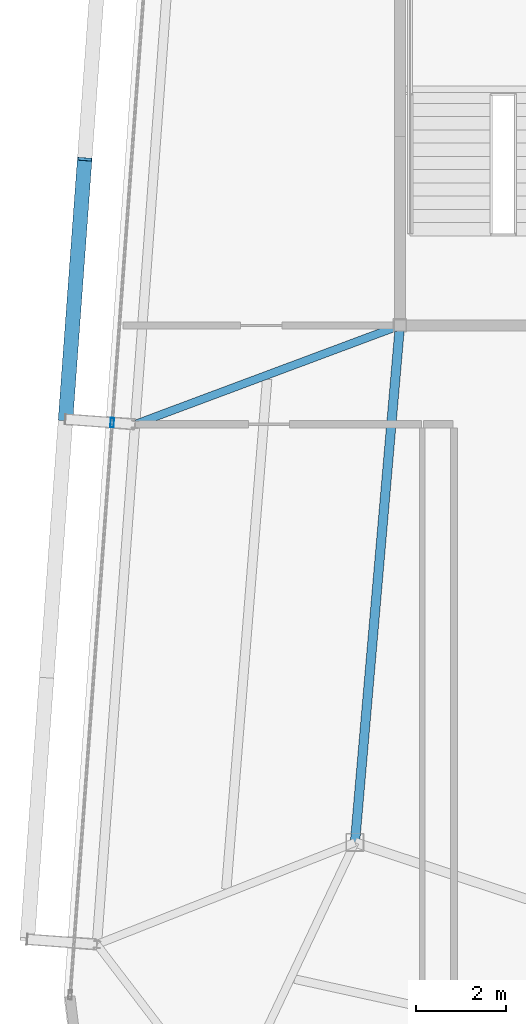
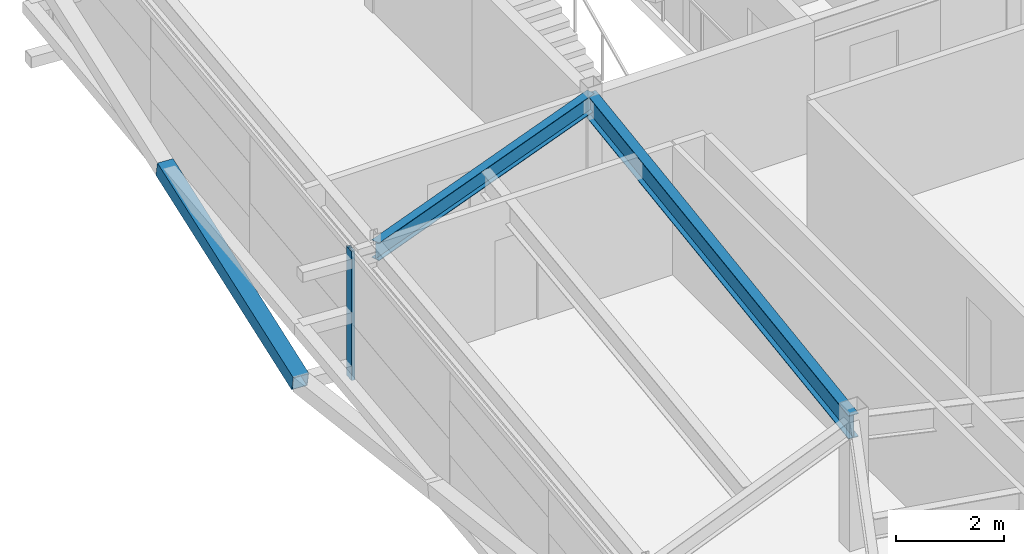
# One storey, part 13 of 34: 2 beams, 2 members, 1 element without a shape of its own.
"""IFC4 building model written with IfcOpenShell, lengths in metres."""

import ifcopenshell
import ifcopenshell.guid

model = None  # the IFC model being written
_history = None  # IfcOwnerHistory: only IFC2X3 demands one
_inside = {}  # id of a spatial element -> (the spatial element, [elements in it])
_under = {}  # id of a project, library or spatial element -> (it, [spatial elements below it])
_declared = {}  # id of a project -> (the project, [libraries it declares])
_typed = {}  # id of a type object -> (the type object, [elements of that type])
_made_of = {}  # id of a material, layer set ... -> (it, [elements and type objects made of it])


def new_model(schema):
    """Start an empty IFC model of exactly this schema.

    Asked for "IFC4X3", IfcOpenShell would pick the latest addendum, in which some entities
    have other attributes; the version numbers below select the first issue.
    IFC2X3 requires an IfcOwnerHistory on every rooted entity: one is made here for all.
    """
    global model, _history
    if schema == "IFC4X3":
        model = ifcopenshell.file(schema_version=(4, 3, 0, 0))
    else:
        model = ifcopenshell.file(schema=schema)
    _inside.clear()
    _under.clear()
    _declared.clear()
    _typed.clear()
    _made_of.clear()
    _history = None
    if model.schema == "IFC2X3":
        org = make("IfcOrganization", Name="unknown")
        user = make(
            "IfcPersonAndOrganization",
            ThePerson=make("IfcPerson", FamilyName="unknown"),
            TheOrganization=org,
        )
        app = make(
            "IfcApplication",
            ApplicationDeveloper=org,
            Version="unknown",
            ApplicationFullName="unknown",
            ApplicationIdentifier="unknown",
        )
        _history = make(
            "IfcOwnerHistory",
            OwningUser=user,
            OwningApplication=app,
            ChangeAction="ADDED",
            CreationDate=0,
        )
    return model


def make(cls, **values):
    """One entity of the class cls with the attributes given. An attribute that is None is left unset."""
    return model.create_entity(
        cls, **{name: value for name, value in values.items() if value is not None}
    )


def rooted(cls, **values):
    """An entity with a GlobalId (a new one), such as an element, a storey or a relation."""
    return make(cls, GlobalId=ifcopenshell.guid.new(), OwnerHistory=_history, **values)


def si_unit(unit_type, name, prefix=None):
    """IfcSIUnit, for example si_unit("LENGTHUNIT", "METRE", prefix="MILLI")."""
    return make("IfcSIUnit", UnitType=unit_type, Prefix=prefix, Name=name)


def assignment(units):
    """IfcUnitAssignment: the units of a project."""
    return None if units is None else make("IfcUnitAssignment", Units=units)


def point(xyz):
    """IfcCartesianPoint."""
    return None if xyz is None else make("IfcCartesianPoint", Coordinates=xyz)


def direction(xyz):
    """IfcDirection."""
    return None if xyz is None else make("IfcDirection", DirectionRatios=xyz)


def frame(location, z_axis=None, x_axis=None):
    """IfcAxis2Placement3D, a coordinate frame: its origin and axes. An axis left out is left unset."""
    return make(
        "IfcAxis2Placement3D",
        Location=point(location),
        Axis=direction(z_axis),
        RefDirection=direction(x_axis),
    )


def frame_2d(location, x_axis=None):
    """IfcAxis2Placement2D, a coordinate frame in the plane: its origin and x axis."""
    return make(
        "IfcAxis2Placement2D", Location=point(location), RefDirection=direction(x_axis)
    )


def origin():
    """The frame at (0, 0, 0) with its axes left unset."""
    return frame((0.0, 0.0, 0.0))


def origin_2d():
    """The frame at (0, 0) in the plane with its x axis left unset."""
    return frame_2d((0.0, 0.0))


def place(relative_to, where):
    """IfcLocalPlacement: puts the frame where relative to a parent placement (None: the world)."""
    return make(
        "IfcLocalPlacement", PlacementRelTo=relative_to, RelativePlacement=where
    )


def context(
    kind, dimensions, precision=None, world=None, true_north=None, identifier=None
):
    """IfcGeometricRepresentationContext, for example the 3D "Model" context."""
    return make(
        "IfcGeometricRepresentationContext",
        ContextIdentifier=identifier,
        ContextType=kind,
        CoordinateSpaceDimension=dimensions,
        Precision=precision,
        WorldCoordinateSystem=world,
        TrueNorth=true_north,
    )


def subcontext(parent, identifier, kind, view, scale=None):
    """IfcGeometricRepresentationSubContext, for example "Body" below "Model"."""
    return make(
        "IfcGeometricRepresentationSubContext",
        ContextIdentifier=identifier,
        ContextType=kind,
        ParentContext=parent,
        TargetScale=scale,
        TargetView=view,
    )


def project(units=None, contexts=None):
    """IfcProject with its units and contexts."""
    return rooted(
        "IfcProject",
        Name="project",
        RepresentationContexts=contexts,
        UnitsInContext=assignment(units),
    )


def spatial(cls, under=None, at=None, **own):
    """A site, building, storey or space (cls), placed at a placement, below another one or the project."""
    s = rooted(cls, ObjectPlacement=at, **own)
    if under is not None:
        _under.setdefault(under.id(), (under, []))[1].append(s)
    return s


def profile(cls, at=None, kind="AREA", **sizes):
    """A parametric profile (cls). Its sizes go by their IFC names, for example OverallWidth=200.0."""
    return make(cls, ProfileType=kind, Position=at, **sizes)


def hollow_rectangle(**sizes):
    """IfcRectangleHollowProfileDef."""
    return profile("IfcRectangleHollowProfileDef", **sizes)


def i_section(**sizes):
    """IfcIShapeProfileDef."""
    return profile("IfcIShapeProfileDef", **sizes)


def extrude(swept, where, along, depth):
    """IfcExtrudedAreaSolid: the profile swept, set in the frame where, extruded along a direction by depth."""
    return make(
        "IfcExtrudedAreaSolid",
        SweptArea=swept,
        Position=where,
        ExtrudedDirection=direction(along),
        Depth=depth,
    )


def shape(context_of_items, identifier, shape_type, items):
    """IfcShapeRepresentation: the items that make up one representation, for example the "Body"."""
    return make(
        "IfcShapeRepresentation",
        ContextOfItems=context_of_items,
        RepresentationIdentifier=identifier,
        RepresentationType=shape_type,
        Items=items,
    )


def source(mapping_origin, context_of_items, identifier, shape_type, items):
    """IfcRepresentationMap: a shape defined once, which mapped items show again and again."""
    return make(
        "IfcRepresentationMap",
        MappingOrigin=mapping_origin,
        MappedRepresentation=shape(context_of_items, identifier, shape_type, items),
    )


def transform(
    local_origin,
    x_axis=None,
    y_axis=None,
    z_axis=None,
    scale=None,
    scale2=None,
    scale3=None,
    uniform=True,
):
    """IfcCartesianTransformationOperator3D, or its non-uniform kind. x_axis, y_axis, z_axis: its Axis1, 2, 3."""
    if uniform:
        return make(
            "IfcCartesianTransformationOperator3D",
            Axis1=direction(x_axis),
            Axis2=direction(y_axis),
            LocalOrigin=point(local_origin),
            Scale=scale,
            Axis3=direction(z_axis),
        )
    return make(
        "IfcCartesianTransformationOperator3DnonUniform",
        Axis1=direction(x_axis),
        Axis2=direction(y_axis),
        LocalOrigin=point(local_origin),
        Scale=scale,
        Axis3=direction(z_axis),
        Scale2=scale2,
        Scale3=scale3,
    )


def mapped(mapping_source, mapping_target):
    """IfcMappedItem: shows the shape of a source again, moved by a transform."""
    return make(
        "IfcMappedItem", MappingSource=mapping_source, MappingTarget=mapping_target
    )


def material(Name=None, Category=None):
    """IfcMaterial."""
    return make("IfcMaterial", Name=Name, Category=Category)


def layer(
    of_material, thickness, ventilated=None, Name=None, Category=None, Priority=None
):
    """IfcMaterialLayer: one layer of a wall or slab, of a material (None: an air gap)."""
    return make(
        "IfcMaterialLayer",
        Material=of_material,
        LayerThickness=thickness,
        IsVentilated=ventilated,
        Name=Name,
        Category=Category,
        Priority=Priority,
    )


def layer_set(layers, Name=None):
    """IfcMaterialLayerSet."""
    return make("IfcMaterialLayerSet", MaterialLayers=layers, LayerSetName=Name)


def material_profile(
    of_material, cross_section, Name=None, Category=None, Priority=None
):
    """IfcMaterialProfile: a cross section and its material."""
    return make(
        "IfcMaterialProfile",
        Name=Name,
        Material=of_material,
        Profile=cross_section,
        Priority=Priority,
        Category=Category,
    )


def profile_set(profiles, Name=None, composite=None):
    """IfcMaterialProfileSet."""
    return make(
        "IfcMaterialProfileSet",
        Name=Name,
        MaterialProfiles=profiles,
        CompositeProfile=composite,
    )


def made_of(thing, what):
    """Note that an element or type object is made of a material, layer set ...; save() writes the relation."""
    if what is not None:
        _made_of.setdefault(what.id(), (what, []))[1].append(thing)
    return thing


def type_object(cls, material=None, **own):
    """A type object (cls), such as IfcWallType, which elements share."""
    return made_of(rooted(cls, **own), material)


def element(
    cls,
    number,
    at=None,
    inside=None,
    cuts=None,
    type_object=None,
    material=None,
    context=None,
    identifier="Body",
    shape_type=None,
    held_by="IfcProductDefinitionShape",
    body=None,
    shapes=None,
    **own,
):
    """One element of the class cls, such as IfcWall. Its Tag is "e" and its number.

    at: its placement. inside: the storey or other place that contains it. cuts: it is an
    opening in that element (IfcRelVoidsElement). A single representation is given by context,
    identifier, shape_type and body (its items); several are given by shapes. held_by: the class
    of the entity that holds the representations. save() writes the other relations.
    """
    e = rooted(cls, Tag="e%d" % number, ObjectPlacement=at, **own)
    if body is not None:
        shapes = [shape(context, identifier, shape_type, body)]
    if shapes is not None:
        e.Representation = make(held_by, Representations=shapes)
    if inside is not None:
        _inside.setdefault(inside.id(), (inside, []))[1].append(e)
    if cuts is not None:
        rooted(
            "IfcRelVoidsElement", RelatingBuildingElement=cuts, RelatedOpeningElement=e
        )
    if type_object is not None:
        _typed.setdefault(type_object.id(), (type_object, []))[1].append(e)
    return made_of(e, material)


def aggregate(whole, parts):
    """IfcRelAggregates: a whole, such as a stair, and the parts it consists of."""
    return rooted("IfcRelAggregates", RelatingObject=whole, RelatedObjects=parts)


def save(model, path):
    """Write the relations noted so far, then the file.

    IfcRelAggregates (storeys below a building ...), IfcRelContainedInSpatialStructure (elements
    in a storey), IfcRelDefinesByType, IfcRelAssociatesMaterial and IfcRelDeclares: one each for
    every whole, place, type object, material and project.
    """
    for whole, parts in _under.values():
        aggregate(whole, parts)
    for where, things in _inside.values():
        rooted(
            "IfcRelContainedInSpatialStructure",
            RelatedElements=things,
            RelatingStructure=where,
        )
    for kind, things in _typed.values():
        rooted("IfcRelDefinesByType", RelatedObjects=things, RelatingType=kind)
    for what, things in _made_of.values():
        rooted("IfcRelAssociatesMaterial", RelatedObjects=things, RelatingMaterial=what)
    for by, libraries in _declared.values():
        rooted("IfcRelDeclares", RelatingContext=by, RelatedDefinitions=libraries)
    model.write(path)


model = new_model("IFC4")

# Units and contexts
model_context = context("Model", 3, precision=1e-05, world=origin(), true_north=direction((0.0, 1.0)))
body_context = subcontext(model_context, "Body", "Model", "MODEL_VIEW")
ifc_project = project(units=[si_unit("LENGTHUNIT", "METRE"), si_unit("AREAUNIT", "SQUARE_METRE"), si_unit("VOLUMEUNIT", "CUBIC_METRE"), si_unit("PLANEANGLEUNIT", "RADIAN"), si_unit("MASSUNIT", "GRAM", prefix="KILO")], contexts=[model_context])

# Site, building, storey
site_placement = place(None, origin())
site = spatial("IfcSite", under=ifc_project, at=site_placement, CompositionType="ELEMENT")
building_placement = place(site_placement, origin())
building = spatial("IfcBuilding", under=site, at=building_placement, Name="Taldren Reach Tower", CompositionType="ELEMENT")
storey_placement = place(building_placement, frame((0.0, 0.0, 246.050048828125)))
storey = spatial("IfcBuildingStorey", under=building, at=storey_placement, Name="L75", CompositionType="ELEMENT", Elevation=246.050048828125)

# Beams
ifc_material_1 = material(Name="Steel Gr 350 (350PLUS)", Category="steel")
ifc_material_profile_1 = material_profile(ifc_material_1, i_section(OverallWidth=0.208984375, OverallDepth=0.532958984375, WebThickness=0.01025390625, FlangeThickness=0.015625, at=origin_2d()), Name="530UB92.4")
ifc_profile_set_1 = profile_set([ifc_material_profile_1], Name="Steel Gr 350 (350PLUS)")
beam_type_1 = type_object("IfcBeamType", Name="BM-UB530A", PredefinedType="BEAM", material=ifc_profile_set_1)
shared_shape_1 = source(origin(), body_context, "Body", "SweptSolid", [
    extrude(i_section(OverallWidth=0.208984375, OverallDepth=0.532958984375, WebThickness=0.01025390625, FlangeThickness=0.015625, at=origin_2d()), origin(), (0.0, 0.0, 1.0), 11.54345703125),
])
beam_1_placement = place(storey_placement, frame((19.0, 24.0, 2.663330078125), z_axis=(-0.086629616365, -0.996240588196, 0.0), x_axis=(0.996240588196, -0.086629616365, 0.0)))
element("IfcBeam", 1, at=beam_1_placement, inside=storey, type_object=beam_type_1, Name="Core-spine girder L75-SP09", PredefinedType="BEAM", context=body_context, shape_type="MappedRepresentation", body=[
    mapped(shared_shape_1, transform((0.0, 0.0, 0.0), scale=1.0)),
])
ifc_material_profile_2 = material_profile(ifc_material_1, i_section(OverallWidth=0.177978515625, OverallDepth=0.406005859375, WebThickness=0.0078125, FlangeThickness=0.0126953125, at=origin_2d()), Name="410UB59.7")
ifc_profile_set_2 = profile_set([ifc_material_profile_2], Name="Steel Gr 350 (350PLUS)")
beam_type_2 = type_object("IfcBeamType", Name="BM-UB410", PredefinedType="BEAM", material=ifc_profile_set_2)
shared_shape_2 = source(origin(), body_context, "Body", "SweptSolid", [
    extrude(i_section(OverallWidth=0.177978515625, OverallDepth=0.406005859375, WebThickness=0.0078125, FlangeThickness=0.0126953125, at=origin_2d()), origin(), (0.0, 0.0, 1.0), 6.28857421875),
])
beam_2_placement = place(storey_placement, frame((19.0, 24.0, 2.72705078125), z_axis=(-0.936827605945, -0.349791418904, 0.0), x_axis=(0.349791418904, -0.936827605945, 0.0)))
element("IfcBeam", 2, at=beam_2_placement, inside=storey, type_object=beam_type_2, Name="Primary floor girder B5-W2 L75", PredefinedType="BEAM", context=body_context, shape_type="MappedRepresentation", body=[
    mapped(shared_shape_2, transform((0.0, 0.0, 0.0), scale=1.0)),
])

# Member
ifc_material_2 = material(Name="Steel Gr 450 (C450L0)", Category="steel")
ifc_material_profile_3 = material_profile(ifc_material_2, hollow_rectangle(XDim=0.324951171875, YDim=0.324951171875, WallThickness=0.0126953125, at=origin_2d()), Name="325x325x12.7SHS")
ifc_profile_set_3 = profile_set([ifc_material_profile_3], Name="Steel Gr 450 (C450L0)")
member_type_1 = type_object("IfcMemberType", Name="MB-BR324", PredefinedType="BRACE", material=ifc_profile_set_3)
shared_shape_3 = source(origin(), body_context, "Body", "SweptSolid", [
    extrude(hollow_rectangle(XDim=0.324951171875, YDim=0.324951171875, WallThickness=0.0126953125, at=origin_2d()), origin(), (0.0, 0.0, 1.0), 5.926025390625),
])
member_1_placement = place(storey_placement, frame((11.562744140625, 21.913818359375, 0.219970703125), z_axis=(0.071685935393, 0.976123486939, 0.205046494513), x_axis=(-0.997314185625, 0.073242167855, 0.0)))
element("IfcMember", 3, at=member_1_placement, inside=storey, type_object=member_type_1, Name="Exoskeleton Diagrid Brace B5-W2 L75", PredefinedType="BRACE", context=body_context, shape_type="MappedRepresentation", body=[
    mapped(shared_shape_3, transform((0.0, 0.0, 0.0), scale=1.0)),
])

# Curtain wall, member
ifc_material_3 = material(Name="Aluminium and Low-E Glass Unitised System", Category="aluminium")
ifc_layer = layer(ifc_material_3, 0.159912109375)
ifc_layer_set = layer_set([ifc_layer], Name="Aluminium and Low-E Glass Unitised System")
curtain_wall_type = type_object("IfcCurtainWallType", Name="CW-SYS-6", PredefinedType="NOTDEFINED", material=ifc_layer_set)
curtain_wall_placement = place(storey_placement, origin())
curtain_wall = element("IfcCurtainWall", 4, at=curtain_wall_placement, inside=storey, type_object=curtain_wall_type, Name="Unitised curtain wall CW-L75-W", PredefinedType="NOTDEFINED")
ifc_material_4 = material(Name="Anodised Aluminium 6063-T6", Category="aluminium")
ifc_material_profile_4 = material_profile(ifc_material_4, hollow_rectangle(XDim=0.074951171875, YDim=0.2099609375, WallThickness=0.00439453125, at=origin_2d()), Name="ALU-210x75x4.5RHS")
ifc_profile_set_4 = profile_set([ifc_material_profile_4], Name="Anodised Aluminium 6063-T6")
member_type_2 = type_object("IfcMemberType", Name="CW-MUL-200", PredefinedType="MULLION", material=ifc_profile_set_4)
shared_shape_4 = source(origin(), body_context, "Body", "SweptSolid", [
    extrude(hollow_rectangle(XDim=0.074951171875, YDim=0.2099609375, WallThickness=0.00439453125, at=origin_2d()), origin(), (0.0, 0.0, 1.0), 2.929931640625),
])
member_2_placement = place(storey_placement, frame((12.60009765625, 21.837646484375, 0.0), z_axis=(0.0, 0.0, 1.0), x_axis=(0.997314470951, -0.073238282558, 0.0)))
member_2 = element("IfcMember", 5, at=member_2_placement, type_object=member_type_2, Name="CW-6 mullion 2", PredefinedType="MULLION", context=body_context, shape_type="MappedRepresentation", body=[
    mapped(shared_shape_4, transform((0.0, 0.0, 0.0), scale=1.0)),
])
aggregate(curtain_wall, [member_2])

save(model, "model.ifc")
